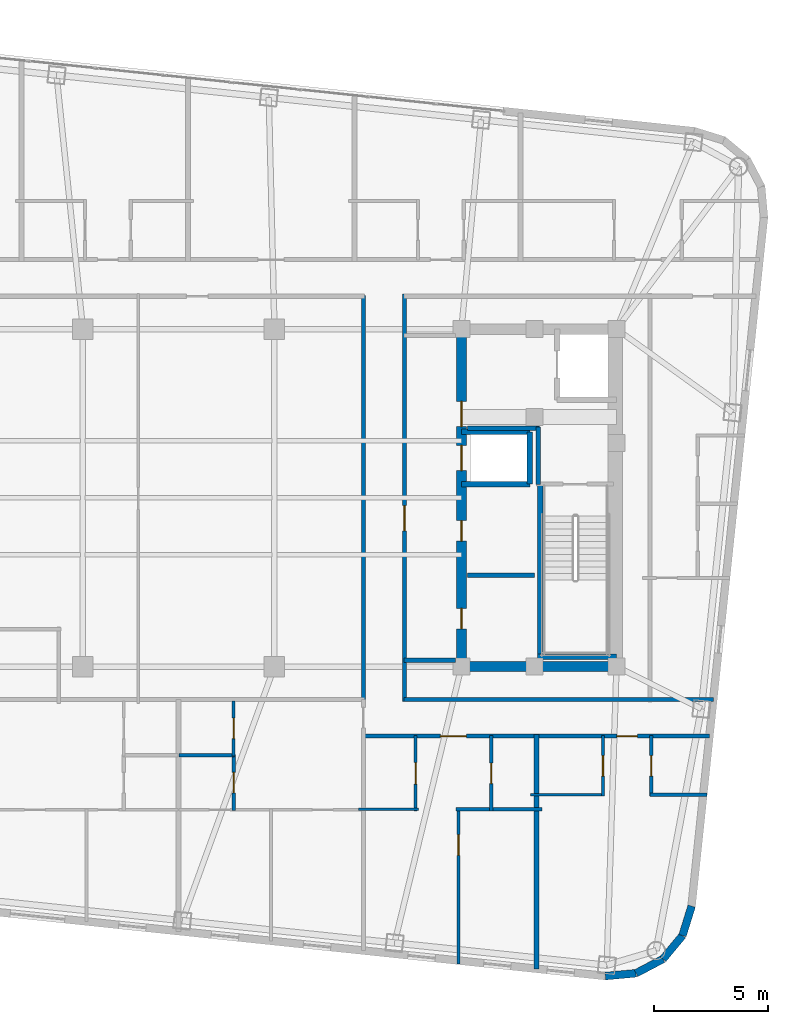
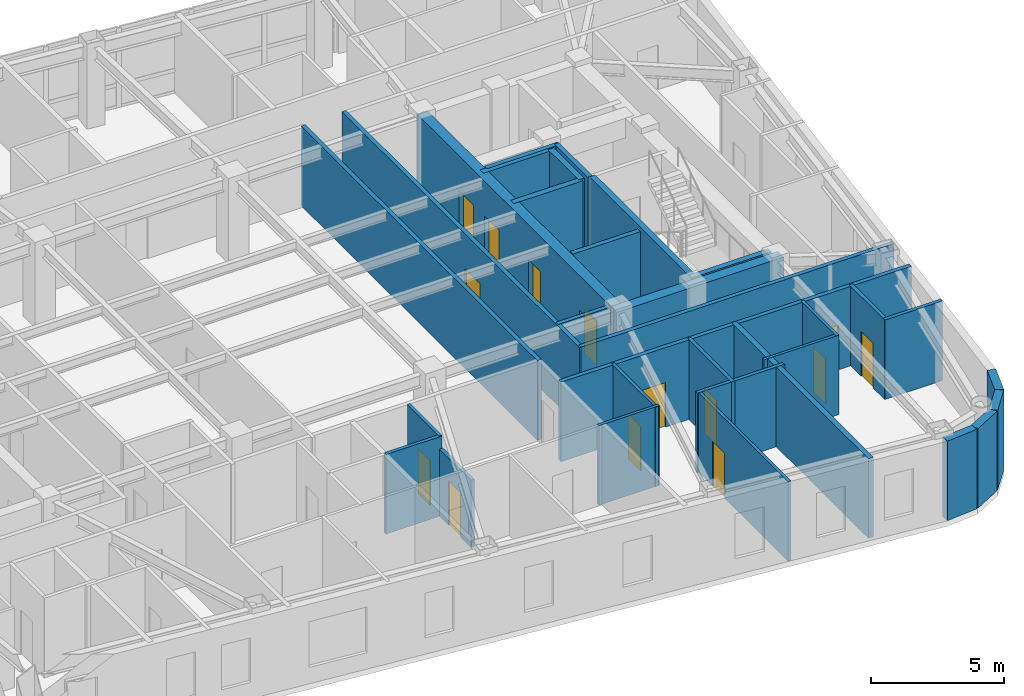
# One storey, part 11 of 15: 32 walls, 14 doors, 14 openings.
"""IFC4 building model written with IfcOpenShell, lengths in metres."""

from ifc_helpers import new_model, si_unit, direction, frame, frame_2d, origin, place, context, subcontext, project, spatial, rectangle, extrude, material, layer, layer_set, type_object, element, fill, save


model = new_model("IFC4")

# Units and contexts
model_context = context("Model", 3, precision=1e-05, world=origin(), true_north=direction((0.0, 1.0)))
body_context = subcontext(model_context, "Body", "Model", "MODEL_VIEW")
ifc_project = project(units=[si_unit("LENGTHUNIT", "METRE"), si_unit("AREAUNIT", "SQUARE_METRE"), si_unit("VOLUMEUNIT", "CUBIC_METRE"), si_unit("PLANEANGLEUNIT", "RADIAN"), si_unit("MASSUNIT", "GRAM", prefix="KILO")], contexts=[model_context])

# Site, building, storey
site_placement = place(None, origin())
site = spatial("IfcSite", under=ifc_project, at=site_placement, CompositionType="ELEMENT")
building_placement = place(site_placement, origin())
building = spatial("IfcBuilding", under=site, at=building_placement, Name="Voryun Gate Residences", CompositionType="ELEMENT")
storey_placement = place(building_placement, frame((0.0, 0.0, 263.89990234375)))
storey = spatial("IfcBuildingStorey", under=building, at=storey_placement, Name="L65", CompositionType="ELEMENT", Elevation=263.89990234375)

# Wall
ifc_material_1 = material(Name="Concrete C50/60", Category="concrete")
ifc_layer_1 = layer(ifc_material_1, 0.449951171875, Name="CW_CORE_450")
ifc_layer_set_1 = layer_set([ifc_layer_1], Name="Concrete C50/60")
wall_type_1 = type_object("IfcWallType", Name="CW_CORE_450", PredefinedType="SHEAR", material=ifc_layer_set_1)
wall_1_placement = place(storey_placement, frame((12.175048828125, -7.39990234375, 0.0), z_axis=(0.0, 0.0, 1.0), x_axis=(1.0, 0.0, 0.0)))
element("IfcWall", 1, at=wall_1_placement, inside=storey, type_object=wall_type_1, Name="L65 Core shear wall CW-L65-ES", PredefinedType="SHEAR", context=body_context, shape_type="SweptSolid", body=[
    extrude(rectangle(XDim=7.25, YDim=0.449951171875, at=frame_2d((3.625, 0.0))), origin(), (0.0, 0.0, 1.0), 3.650146484375),
])

# Wall, openings, doors
wall_2_placement = place(storey_placement, frame((12.39990234375, -7.39990234375, 0.0), z_axis=(0.0, 0.0, 1.0), x_axis=(0.0, 1.0, 0.0)))
wall_2 = element("IfcWall", 2, at=wall_2_placement, inside=storey, type_object=wall_type_1, Name="L65 Core shear wall CW-L65-EW", PredefinedType="SHEAR", context=body_context, shape_type="SweptSolid", body=[
    extrude(rectangle(XDim=14.7998046875, YDim=0.449951171875, at=frame_2d((7.39990234375, 0.0))), origin(), (0.0, 0.0, 1.0), 3.650146484375),
])
opening_1_placement = place(wall_2_placement, frame((8.60009765625, 0.0, 0.0)))
opening_1 = element("IfcOpeningElement", 3, at=opening_1_placement, cuts=wall_2, Name="Opening LD2", PredefinedType="OPENING", context=body_context, shape_type="SweptSolid", body=[
    extrude(rectangle(XDim=1.10009765625, YDim=2.050048828125, at=frame_2d((0.550048828125, 1.02490234375))), frame((0.0, 0.235107421875, 0.0), z_axis=(0.0, -1.0, 0.0), x_axis=(1.0, 0.0, 0.0)), (0.0, 0.0, 1.0), 0.469970703125),
])
opening_2_placement = place(wall_2_placement, frame((10.530029296875, 0.0, 0.0)))
opening_2 = element("IfcOpeningElement", 4, at=opening_2_placement, cuts=wall_2, Name="Opening D-FD60-2", PredefinedType="OPENING", context=body_context, shape_type="SweptSolid", body=[
    extrude(rectangle(XDim=1.10009765625, YDim=2.050048828125, at=frame_2d((0.550048828125, 1.02490234375))), frame((0.0, 0.235107421875, 0.0), z_axis=(0.0, -1.0, 0.0), x_axis=(1.0, 0.0, 0.0)), (0.0, 0.0, 1.0), 0.469970703125),
])
opening_3_placement = place(wall_2_placement, frame((1.64990234375, 0.0, 0.0)))
opening_3 = element("IfcOpeningElement", 5, at=opening_3_placement, cuts=wall_2, Name="Opening D-FD60-4", PredefinedType="OPENING", context=body_context, shape_type="SweptSolid", body=[
    extrude(rectangle(XDim=0.89990234375, YDim=2.050048828125, at=frame_2d((0.449951171875, 1.02490234375))), frame((0.0, 0.235107421875, 0.0), z_axis=(0.0, -1.0, 0.0), x_axis=(1.0, 0.0, 0.0)), (0.0, 0.0, 1.0), 0.469970703125),
])
opening_4_placement = place(wall_2_placement, frame((5.5, 0.0, 0.0)))
opening_4 = element("IfcOpeningElement", 6, at=opening_4_placement, cuts=wall_2, Name="Opening D-FD60-4", PredefinedType="OPENING", context=body_context, shape_type="SweptSolid", body=[
    extrude(rectangle(XDim=0.89990234375, YDim=2.050048828125, at=frame_2d((0.449951171875, 1.02490234375))), frame((0.0, 0.235107421875, 0.0), z_axis=(0.0, -1.0, 0.0), x_axis=(1.0, 0.0, 0.0)), (0.0, 0.0, 1.0), 0.469970703125),
])
ifc_material_2 = material(Name="Painted steel fire door", Category="steel")
door_type_1 = type_object("IfcDoorType", Name="DR_FD60_FFLOB_1100", OperationType="NOTDEFINED", PredefinedType="DOOR", material=ifc_material_2)
door_1_placement = place(opening_2_placement, origin())
door_1 = element("IfcDoor", 7, at=door_1_placement, inside=storey, type_object=door_type_1, Name="Door DR-L65-CLOB-E", OperationType="SINGLE_SWING_RIGHT", OverallHeight=2.050048828125, OverallWidth=1.10009765625, PredefinedType="DOOR", context=body_context, shape_type="SweptSolid", body=[
    extrude(rectangle(XDim=1.10009765625, YDim=2.050048828125, at=frame_2d((0.550048828125, 1.02490234375))), frame((0.0, 0.02490234375, 0.0), z_axis=(0.0, -1.0, 0.0), x_axis=(1.0, 0.0, 0.0)), (0.0, 0.0, 1.0), 0.050048828125),
])
fill(opening_2, door_1)
ifc_material_3 = material(Name="Painted steel fire door", Category="steel")
door_type_2 = type_object("IfcDoorType", Name="DR_FD60_RISER_900", OperationType="NOTDEFINED", PredefinedType="DOOR", material=ifc_material_3)
door_2_placement = place(opening_3_placement, origin())
door_2 = element("IfcDoor", 8, at=door_2_placement, inside=storey, type_object=door_type_2, Name="Door DR-L65-RECE-HIS", OperationType="SINGLE_SWING_RIGHT", OverallHeight=2.050048828125, OverallWidth=0.89990234375, PredefinedType="DOOR", context=body_context, shape_type="SweptSolid", body=[
    extrude(rectangle(XDim=0.89990234375, YDim=2.050048828125, at=frame_2d((0.449951171875, 1.02490234375))), frame((0.0, 0.02490234375, 0.0), z_axis=(0.0, -1.0, 0.0), x_axis=(1.0, 0.0, 0.0)), (0.0, 0.0, 1.0), 0.050048828125),
])
fill(opening_3, door_2)
door_3_placement = place(opening_4_placement, origin())
door_3 = element("IfcDoor", 9, at=door_3_placement, inside=storey, type_object=door_type_2, Name="Door DR-L65-RECE-HIN", OperationType="SINGLE_SWING_LEFT", OverallHeight=2.050048828125, OverallWidth=0.89990234375, PredefinedType="DOOR", context=body_context, shape_type="SweptSolid", body=[
    extrude(rectangle(XDim=0.89990234375, YDim=2.050048828125, at=frame_2d((0.449951171875, 1.02490234375))), frame((0.0, 0.02490234375, 0.0), z_axis=(0.0, -1.0, 0.0), x_axis=(1.0, 0.0, 0.0)), (0.0, 0.0, 1.0), 0.050048828125),
])
fill(opening_4, door_3)
ifc_material_4 = material(Name="Anodised aluminium", Category="aluminium")
door_type_3 = type_object("IfcDoorType", Name="DR_LD_PASS_1100", OperationType="NOTDEFINED", PredefinedType="DOOR", material=ifc_material_4)
door_4_placement = place(opening_1_placement, origin())
door_4 = element("IfcDoor", 10, at=door_4_placement, inside=storey, type_object=door_type_3, Name="Lift EL-P8 sliding landing door L65", OperationType="SLIDING_TO_LEFT", OverallHeight=2.050048828125, OverallWidth=1.10009765625, PredefinedType="DOOR", context=body_context, shape_type="SweptSolid", body=[
    extrude(rectangle(XDim=1.10009765625, YDim=2.050048828125, at=frame_2d((0.550048828125, 1.02490234375))), frame((0.0, 0.02490234375, 0.0), z_axis=(0.0, -1.0, 0.0), x_axis=(1.0, 0.0, 0.0)), (0.0, 0.0, 1.0), 0.050048828125),
])
fill(opening_1, door_4)

# Wall
ifc_material_5 = material(Name="Gypsum acoustic fireboard")
ifc_layer_2 = layer(ifc_material_5, 0.179931640625, Name="W_CORR_RATED_180")
ifc_layer_set_2 = layer_set([ifc_layer_2], Name="Gypsum acoustic fireboard")
wall_type_2 = type_object("IfcWallType", Name="W_CORR_RATED_180", PredefinedType="PARTITIONING", material=ifc_layer_set_2)
wall_3_placement = place(storey_placement, frame((9.8798828125, -7.1201171875, 0.0), z_axis=(0.0, 0.0, 1.0), x_axis=(1.0, 0.0, 0.0)))
element("IfcWall", 11, at=wall_3_placement, inside=storey, type_object=wall_type_2, Name="Partition wall WP-L65-PLBS-E", PredefinedType="PARTITIONING", context=body_context, shape_type="SweptSolid", body=[
    extrude(rectangle(XDim=2.27001953125, YDim=0.179931640625, at=frame_2d((1.135009765625, 0.0))), origin(), (0.0, 0.0, 1.0), 3.650146484375),
])

# Wall, opening, door
wall_4_placement = place(storey_placement, frame((9.89990234375, -8.929931640625, 0.0), z_axis=(0.0, 0.0, 1.0), x_axis=(0.0, 1.0, 0.0)))
wall_4 = element("IfcWall", 12, at=wall_4_placement, inside=storey, type_object=wall_type_2, Name="Partition wall WP-L65-PLBE-FULL", PredefinedType="PARTITIONING", context=body_context, shape_type="SweptSolid", body=[
    extrude(rectangle(XDim=17.85986328125, YDim=0.179931640625, at=frame_2d((8.929931640625, 0.0))), origin(), (0.0, 0.0, 1.0), 3.650146484375),
])
opening_5_placement = place(wall_4_placement, frame((7.487060546875, 0.0, 0.0)))
opening_5 = element("IfcOpeningElement", 13, at=opening_5_placement, cuts=wall_4, Name="Opening D-FD60-2", PredefinedType="OPENING", context=body_context, shape_type="SweptSolid", body=[
    extrude(rectangle(XDim=1.10009765625, YDim=2.050048828125, at=frame_2d((0.550048828125, 1.02490234375))), frame((0.0, 0.099853515625, 0.0), z_axis=(0.0, -1.0, 0.0), x_axis=(1.0, 0.0, 0.0)), (0.0, 0.0, 1.0), 0.199951171875),
])
door_5_placement = place(opening_5_placement, origin())
door_5 = element("IfcDoor", 14, at=door_5_placement, inside=storey, type_object=door_type_1, Name="Door DR-L65-PLBE-COR", OperationType="SINGLE_SWING_RIGHT", OverallHeight=2.050048828125, OverallWidth=1.10009765625, PredefinedType="DOOR", context=body_context, shape_type="SweptSolid", body=[
    extrude(rectangle(XDim=1.10009765625, YDim=2.050048828125, at=frame_2d((0.550048828125, 1.02490234375))), frame((0.0, 0.02490234375, 0.0), z_axis=(0.0, -1.0, 0.0), x_axis=(1.0, 0.0, 0.0)), (0.0, 0.0, 1.0), 0.050048828125),
])
fill(opening_5, door_5)

# Walls
wall_5_placement = place(storey_placement, frame((9.8798828125, -8.840087890625, 0.0), z_axis=(0.0, 0.0, 1.0), x_axis=(1.0, 0.0, 0.0)))
element("IfcWall", 15, at=wall_5_placement, inside=storey, type_object=wall_type_2, Name="Partition wall WP-L65-CWING-ES", PredefinedType="PARTITIONING", context=body_context, shape_type="SweptSolid", body=[
    extrude(rectangle(XDim=13.56884765625, YDim=0.179931640625, at=frame_2d((6.784423828125, 0.0))), origin(), (0.0, 0.0, 1.0), 3.650146484375),
])
wall_6_placement = place(storey_placement, frame((8.10009765625, -8.8798828125, 0.0), z_axis=(0.0, 0.0, 1.0), x_axis=(0.0, 1.0, 0.0)))
element("IfcWall", 16, at=wall_6_placement, inside=storey, type_object=wall_type_2, Name="Partition wall WP-L65-Z3E", PredefinedType="PARTITIONING", context=body_context, shape_type="SweptSolid", body=[
    extrude(rectangle(XDim=17.759765625, YDim=0.179931640625, at=frame_2d((8.8798828125, 0.0))), origin(), (0.0, 0.0, 1.0), 3.650146484375),
])

# Wall, openings, doors
wall_7_placement = place(storey_placement, frame((8.080078125, -10.449951171875, 0.0), z_axis=(0.0, 0.0, 1.0), x_axis=(1.0, 0.0, 0.0)))
wall_7 = element("IfcWall", 17, at=wall_7_placement, inside=storey, type_object=wall_type_2, Name="Partition wall WP-L65-SCORR-E", PredefinedType="PARTITIONING", context=body_context, shape_type="SweptSolid", body=[
    extrude(rectangle(XDim=15.19921875, YDim=0.179931640625, at=frame_2d((7.599609375, 0.0))), origin(), (0.0, 0.0, 1.0), 3.650146484375),
])
opening_6_placement = place(wall_7_placement, frame((3.390380859375, 0.0, 0.0)))
opening_6 = element("IfcOpeningElement", 18, at=opening_6_placement, cuts=wall_7, Name="Opening D-UNIT-1", PredefinedType="OPENING", context=body_context, shape_type="SweptSolid", body=[
    extrude(rectangle(XDim=1.14990234375, YDim=2.050048828125, at=frame_2d((0.574951171875, 1.02490234375))), frame((0.0, 0.099853515625, 0.0), z_axis=(0.0, -1.0, 0.0), x_axis=(1.0, 0.0, 0.0)), (0.0, 0.0, 1.0), 0.199951171875),
])
opening_7_placement = place(wall_7_placement, frame((11.133544921875, 0.0, 0.0)))
opening_7 = element("IfcOpeningElement", 19, at=opening_7_placement, cuts=wall_7, Name="Opening D-INT-2", PredefinedType="OPENING", context=body_context, shape_type="SweptSolid", body=[
    extrude(rectangle(XDim=0.89990234375, YDim=2.050048828125, at=frame_2d((0.449951171875, 1.02490234375))), frame((0.0, 0.099853515625, 0.0), z_axis=(0.0, -1.0, 0.0), x_axis=(1.0, 0.0, 0.0)), (0.0, 0.0, 1.0), 0.199951171875),
])
ifc_material_6 = material(Name="Architectural oak veneer")
door_type_4 = type_object("IfcDoorType", Name="DR_INT_BATH_900", OperationType="NOTDEFINED", PredefinedType="DOOR", material=ifc_material_6)
door_6_placement = place(opening_7_placement, origin())
door_6 = element("IfcDoor", 20, at=door_6_placement, inside=storey, type_object=door_type_4, Name="Door DR-L65-SENT-7", OperationType="SINGLE_SWING_RIGHT", OverallHeight=2.050048828125, OverallWidth=0.89990234375, PredefinedType="DOOR", context=body_context, shape_type="SweptSolid", body=[
    extrude(rectangle(XDim=0.89990234375, YDim=2.050048828125, at=frame_2d((0.449951171875, 1.02490234375))), frame((0.0, 0.02490234375, 0.0), z_axis=(0.0, -1.0, 0.0), x_axis=(1.0, 0.0, 0.0)), (0.0, 0.0, 1.0), 0.050048828125),
])
fill(opening_7, door_6)
ifc_material_7 = material(Name="Armoured timber-clad fire door", Category="wood")
door_type_5 = type_object("IfcDoorType", Name="DR_UNIT_ENTRY_1150", OperationType="NOTDEFINED", PredefinedType="DOOR", material=ifc_material_7)
door_7_placement = place(opening_6_placement, origin())
door_7 = element("IfcDoor", 21, at=door_7_placement, inside=storey, type_object=door_type_5, Name="Door DR-L65-SENT-6", OperationType="SINGLE_SWING_LEFT", OverallHeight=2.050048828125, OverallWidth=1.14990234375, PredefinedType="DOOR", context=body_context, shape_type="SweptSolid", body=[
    extrude(rectangle(XDim=1.14990234375, YDim=2.050048828125, at=frame_2d((0.574951171875, 1.02490234375))), frame((0.0, 0.02490234375, 0.0), z_axis=(0.0, -1.0, 0.0), x_axis=(1.0, 0.0, 0.0)), (0.0, 0.0, 1.0), 0.050048828125),
])
fill(opening_6, door_7)

# Walls
ifc_material_8 = material(Name="Charcoal terracotta masonry", Category="masonry")
ifc_layer_3 = layer(ifc_material_8, 0.340087890625, Name="W_EXT_TERRACOTTA_340")
ifc_layer_set_3 = layer_set([ifc_layer_3], Name="Charcoal terracotta masonry")
wall_type_3 = type_object("IfcWallType", Name="W_EXT_TERRACOTTA_340", PredefinedType="ELEMENTEDWALL", material=ifc_layer_set_3)
wall_8_placement = place(storey_placement, frame((22.495849609375, -17.904541015625, 0.0), z_axis=(0.0, 0.0, 1.0), x_axis=(-0.296416228123, -0.955058856671, 0.0)))
element("IfcWall", 22, at=wall_8_placement, inside=storey, type_object=wall_type_3, Name="Exterior wall WEXT-L65-17", PredefinedType="ELEMENTEDWALL", context=body_context, shape_type="SweptSolid", body=[
    extrude(rectangle(XDim=1.35400390625, YDim=0.340087890625, at=frame_2d((0.677001953125, 0.0))), origin(), (0.0, 0.0, 1.0), 3.650146484375),
])
wall_9_placement = place(storey_placement, frame((22.094482421875, -19.19775390625, 0.0), z_axis=(0.0, 0.0, 1.0), x_axis=(-0.639501603217, -0.768789762863, 0.0)))
element("IfcWall", 23, at=wall_9_placement, inside=storey, type_object=wall_type_3, Name="Exterior wall WEXT-L65-18", PredefinedType="ELEMENTEDWALL", context=body_context, shape_type="SweptSolid", body=[
    extrude(rectangle(XDim=1.3369140625, YDim=0.340087890625, at=frame_2d((0.66845703125, 0.0))), origin(), (0.0, 0.0, 1.0), 3.650146484375),
])
wall_10_placement = place(storey_placement, frame((21.239501953125, -20.2255859375, 0.0), z_axis=(0.0, 0.0, 1.0), x_axis=(-0.884922182678, -0.465738908193, 0.0)))
element("IfcWall", 24, at=wall_10_placement, inside=storey, type_object=wall_type_3, Name="Exterior wall WEXT-L65-19", PredefinedType="ELEMENTEDWALL", context=body_context, shape_type="SweptSolid", body=[
    extrude(rectangle(XDim=1.337158203125, YDim=0.340087890625, at=frame_2d((0.66845703125, 0.0))), origin(), (0.0, 0.0, 1.0), 3.650146484375),
])
wall_11_placement = place(storey_placement, frame((20.05615234375, -20.848388671875, 0.0), z_axis=(0.0, 0.0, 1.0), x_axis=(-0.995813013343, -0.091413579172, 0.0)))
element("IfcWall", 25, at=wall_11_placement, inside=storey, type_object=wall_type_3, Name="Exterior wall WEXT-L65-20", PredefinedType="ELEMENTEDWALL", context=body_context, shape_type="SweptSolid", body=[
    extrude(rectangle(XDim=1.35400390625, YDim=0.340087890625, at=frame_2d((0.677001953125, 0.0))), origin(), (0.0, 0.0, 1.0), 3.650146484375),
])
ifc_material_9 = material(Name="Concrete C40/50", Category="concrete")
ifc_layer_4 = layer(ifc_material_9, 0.199951171875, Name="W_FF_LOBBY_200")
ifc_layer_set_4 = layer_set([ifc_layer_4], Name="Concrete C40/50")
wall_type_4 = type_object("IfcWallType", Name="W_FF_LOBBY_200", PredefinedType="PARTITIONING", material=ifc_layer_set_4)
wall_12_placement = place(storey_placement, frame((15.760009765625, 0.580078125, 0.0), z_axis=(0.0, 0.0, 1.0), x_axis=(0.0, 1.0, 0.0)))
element("IfcWall", 26, at=wall_12_placement, inside=storey, type_object=wall_type_4, Name="Partition wall WP-L65-FFP0-E", PredefinedType="PARTITIONING", context=body_context, shape_type="SweptSolid", body=[
    extrude(rectangle(XDim=2.52001953125, YDim=0.199951171875, at=frame_2d((1.260009765625, 0.0))), origin(), (0.0, 0.0, 1.0), 3.650146484375),
])
wall_13_placement = place(storey_placement, frame((12.659912109375, 3.06005859375, 0.0), z_axis=(0.0, 0.0, 1.0), x_axis=(1.0, 0.0, 0.0)))
element("IfcWall", 27, at=wall_13_placement, inside=storey, type_object=wall_type_4, Name="Partition wall WP-L65-FFPS-E", PredefinedType="PARTITIONING", context=body_context, shape_type="SweptSolid", body=[
    extrude(rectangle(XDim=3.16015625, YDim=0.199951171875, at=frame_2d((1.580078125, 0.0))), origin(), (0.0, 0.0, 1.0), 3.650146484375),
])
wall_14_placement = place(storey_placement, frame((12.659912109375, -3.389892578125, 0.0), z_axis=(0.0, 0.0, 1.0), x_axis=(1.0, 0.0, 0.0)))
element("IfcWall", 28, at=wall_14_placement, inside=storey, type_object=wall_type_4, Name="Partition wall WP-L65-RECEY-HI", PredefinedType="PARTITIONING", context=body_context, shape_type="SweptSolid", body=[
    extrude(rectangle(XDim=2.940185546875, YDim=0.199951171875, at=frame_2d((1.47021484375, 0.0))), origin(), (0.0, 0.0, 1.0), 3.650146484375),
])
ifc_material_10 = material(Name="Concrete C40/50", Category="concrete")
ifc_layer_5 = layer(ifc_material_10, 0.219970703125, Name="W_PARTY_ACOUSTIC_220")
ifc_layer_set_5 = layer_set([ifc_layer_5], Name="Concrete C40/50")
wall_type_5 = type_object("IfcWallType", Name="W_PARTY_ACOUSTIC_220", PredefinedType="PARTITIONING", material=ifc_layer_set_5)
wall_15_placement = place(storey_placement, frame((15.681884765625, -20.654052734375, 0.0), z_axis=(0.0, 0.0, 1.0), x_axis=(0.0, 1.0, 0.0)))
element("IfcWall", 29, at=wall_15_placement, inside=storey, type_object=wall_type_5, Name="Partition wall WP-L65-SPTY-6", PredefinedType="PARTITIONING", context=body_context, shape_type="SweptSolid", body=[
    extrude(rectangle(XDim=10.283935546875, YDim=0.219970703125, at=frame_2d((5.14208984375, 0.0))), origin(), (0.0, 0.0, 1.0), 3.650146484375),
])
ifc_material_11 = material(Name="Concrete C50/60", Category="concrete")
ifc_layer_6 = layer(ifc_material_11, 0.25, Name="W_SHAFT_RC250")
ifc_layer_set_6 = layer_set([ifc_layer_6], Name="Concrete C50/60")
wall_type_6 = type_object("IfcWallType", Name="W_SHAFT_RC250", PredefinedType="SOLIDWALL", material=ifc_layer_set_6)
wall_16_placement = place(storey_placement, frame((15.860107421875, -7.0849609375, 0.0), z_axis=(0.0, 0.0, 1.0), x_axis=(0.0, 1.0, 0.0)))
element("IfcWall", 30, at=wall_16_placement, inside=storey, type_object=wall_type_6, Name="L65 Stair shaft structural wall E-STL", PredefinedType="SOLIDWALL", context=body_context, shape_type="SweptSolid", body=[
    extrude(rectangle(XDim=7.68505859375, YDim=0.25, at=frame_2d((3.842529296875, 0.0))), origin(), (0.0, 0.0, 1.0), 3.650146484375),
])
wall_17_placement = place(storey_placement, frame((15.739990234375, -6.965087890625, 0.0), z_axis=(0.0, 0.0, 1.0), x_axis=(1.0, 0.0, 0.0)))
element("IfcWall", 31, at=wall_17_placement, inside=storey, type_object=wall_type_6, Name="L65 Stair shaft structural wall E-STS", PredefinedType="SOLIDWALL", context=body_context, shape_type="SweptSolid", body=[
    extrude(rectangle(XDim=3.4599609375, YDim=0.25, at=frame_2d((1.72998046875, 0.0))), origin(), (0.0, 0.0, 1.0), 3.650146484375),
])
wall_18_placement = place(storey_placement, frame((12.39990234375, 0.60009765625, 0.0), z_axis=(0.0, 0.0, 1.0), x_axis=(1.0, 0.0, 0.0)))
element("IfcWall", 32, at=wall_18_placement, inside=storey, type_object=wall_type_6, Name="Lift shaft wall WSH-L65-EL-P8-S", PredefinedType="SOLIDWALL", context=body_context, shape_type="SweptSolid", body=[
    extrude(rectangle(XDim=3.0, YDim=0.25, at=frame_2d((1.5, 0.0))), origin(), (0.0, 0.0, 1.0), 3.650146484375),
])
wall_19_placement = place(storey_placement, frame((15.39990234375, 0.60009765625, 0.0), z_axis=(0.0, 0.0, 1.0), x_axis=(0.0, 1.0, 0.0)))
element("IfcWall", 33, at=wall_19_placement, inside=storey, type_object=wall_type_6, Name="Lift shaft wall WSH-L65-EL-P8-E", PredefinedType="SOLIDWALL", context=body_context, shape_type="SweptSolid", body=[
    extrude(rectangle(XDim=2.2998046875, YDim=0.25, at=frame_2d((1.14990234375, 0.0))), origin(), (0.0, 0.0, 1.0), 3.650146484375),
])
wall_20_placement = place(storey_placement, frame((15.39990234375, 2.89990234375, 0.0), z_axis=(0.0, 0.0, 1.0), x_axis=(-1.0, 0.0, 0.0)))
element("IfcWall", 34, at=wall_20_placement, inside=storey, type_object=wall_type_6, Name="Lift shaft wall WSH-L65-EL-P8-N", PredefinedType="SOLIDWALL", context=body_context, shape_type="SweptSolid", body=[
    extrude(rectangle(XDim=3.0, YDim=0.25, at=frame_2d((1.5, 0.0))), origin(), (0.0, 0.0, 1.0), 3.650146484375),
])

# Wall, opening, door
ifc_material_12 = material(Name="Gypsum acoustic partition")
ifc_layer_7 = layer(ifc_material_12, 0.125, Name="W_UNIT_PART_125")
ifc_layer_set_7 = layer_set([ifc_layer_7], Name="Gypsum acoustic partition")
wall_type_7 = type_object("IfcWallType", Name="W_UNIT_PART_125", PredefinedType="PARTITIONING", material=ifc_layer_set_7)
wall_21_placement = place(storey_placement, frame((12.27197265625, -20.446533203125, 0.0), z_axis=(0.0, 0.0, 1.0), x_axis=(0.0, 1.0, 0.0)))
wall_21 = element("IfcWall", 35, at=wall_21_placement, inside=storey, type_object=wall_type_7, Name="Partition wall WP-L65-S6-OVR", PredefinedType="PARTITIONING", context=body_context, shape_type="SweptSolid", body=[
    extrude(rectangle(XDim=6.87353515625, YDim=0.125, at=frame_2d((3.436767578125, 0.0))), origin(), (0.0, 0.0, 1.0), 3.650146484375),
])
opening_8_placement = place(wall_21_placement, frame((4.77392578125, 0.0, 0.0)))
opening_8 = element("IfcOpeningElement", 36, at=opening_8_placement, cuts=wall_21, Name="Opening D-INT-2", PredefinedType="OPENING", context=body_context, shape_type="SweptSolid", body=[
    extrude(rectangle(XDim=0.89990234375, YDim=2.050048828125, at=frame_2d((0.449951171875, 1.02490234375))), frame((0.0, 0.072509765625, 0.0), z_axis=(0.0, -1.0, 0.0), x_axis=(1.0, 0.0, 0.0)), (0.0, 0.0, 1.0), 0.14501953125),
])
door_8_placement = place(opening_8_placement, origin())
door_8 = element("IfcDoor", 37, at=door_8_placement, inside=storey, type_object=door_type_4, Name="Door DR-L65-S6-DMB", OperationType="SINGLE_SWING_RIGHT", OverallHeight=2.050048828125, OverallWidth=0.89990234375, PredefinedType="DOOR", context=body_context, shape_type="SweptSolid", body=[
    extrude(rectangle(XDim=0.89990234375, YDim=2.050048828125, at=frame_2d((0.449951171875, 1.02490234375))), frame((0.0, 0.02490234375, 0.0), z_axis=(0.0, -1.0, 0.0), x_axis=(1.0, 0.0, 0.0)), (0.0, 0.0, 1.0), 0.050048828125),
])
fill(opening_8, door_8)

wall_22_placement = place(storey_placement, frame((10.389892578125, -13.73291015625, 0.0), z_axis=(0.0, 0.0, 1.0), x_axis=(0.0, 1.0, 0.0)))
wall_22 = element("IfcWall", 38, at=wall_22_placement, inside=storey, type_object=wall_type_7, Name="Partition wall WP-L65-S6-IVK", PredefinedType="PARTITIONING", context=body_context, shape_type="SweptSolid", body=[
    extrude(rectangle(XDim=3.302978515625, YDim=0.125, at=frame_2d((1.6513671875, 0.0))), origin(), (0.0, 0.0, 1.0), 3.650146484375),
])
opening_9_placement = place(wall_22_placement, frame((1.176513671875, 0.0, 0.0)))
opening_9 = element("IfcOpeningElement", 39, at=opening_9_placement, cuts=wall_22, Name="Opening D-INT-1", PredefinedType="OPENING", context=body_context, shape_type="SweptSolid", body=[
    extrude(rectangle(XDim=0.949951171875, YDim=2.050048828125, at=frame_2d((0.47509765625, 1.02490234375))), frame((0.0, 0.072509765625, 0.0), z_axis=(0.0, -1.0, 0.0), x_axis=(1.0, 0.0, 0.0)), (0.0, 0.0, 1.0), 0.14501953125),
])
ifc_material_13 = material(Name="Architectural oak veneer")
door_type_6 = type_object("IfcDoorType", Name="DR_INT_ROOM_950", OperationType="NOTDEFINED", PredefinedType="DOOR", material=ifc_material_13)
door_9_placement = place(opening_9_placement, origin())
door_9 = element("IfcDoor", 40, at=door_9_placement, inside=storey, type_object=door_type_6, Name="Door DR-L65-S6-DK", OperationType="SINGLE_SWING_LEFT", OverallHeight=2.050048828125, OverallWidth=0.949951171875, PredefinedType="DOOR", context=body_context, shape_type="SweptSolid", body=[
    extrude(rectangle(XDim=0.949951171875, YDim=2.050048828125, at=frame_2d((0.47509765625, 1.02490234375))), frame((0.0, 0.02490234375, 0.0), z_axis=(0.0, -1.0, 0.0), x_axis=(1.0, 0.0, 0.0)), (0.0, 0.0, 1.0), 0.050048828125),
])
fill(opening_9, door_9)

# Wall
wall_23_placement = place(storey_placement, frame((7.887451171875, -13.653076171875, 0.0), z_axis=(0.0, 0.0, 1.0), x_axis=(1.0, 0.0, 0.0)))
element("IfcWall", 41, at=wall_23_placement, inside=storey, type_object=wall_type_7, Name="Partition wall WP-L65-S6-HZK", PredefinedType="PARTITIONING", context=body_context, shape_type="SweptSolid", body=[
    extrude(rectangle(XDim=2.62255859375, YDim=0.125, at=frame_2d((1.311279296875, 0.0))), origin(), (0.0, 0.0, 1.0), 3.650146484375),
])

# Wall, opening, door
wall_24_placement = place(storey_placement, frame((18.60791015625, -13.080078125, 0.0), z_axis=(0.0, 0.0, 1.0), x_axis=(0.0, 1.0, 0.0)))
wall_24 = element("IfcWall", 42, at=wall_24_placement, inside=storey, type_object=wall_type_7, Name="Partition wall WP-L65-S7-CVK", PredefinedType="PARTITIONING", context=body_context, shape_type="SweptSolid", body=[
    extrude(rectangle(XDim=2.650146484375, YDim=0.125, at=frame_2d((1.3251953125, 0.0))), origin(), (0.0, 0.0, 1.0), 3.650146484375),
])
opening_10_placement = place(wall_24_placement, frame((0.875, 0.0, 0.0)))
opening_10 = element("IfcOpeningElement", 43, at=opening_10_placement, cuts=wall_24, Name="Opening D-INT-2", PredefinedType="OPENING", context=body_context, shape_type="SweptSolid", body=[
    extrude(rectangle(XDim=0.89990234375, YDim=2.050048828125, at=frame_2d((0.449951171875, 1.02490234375))), frame((0.0, 0.072509765625, 0.0), z_axis=(0.0, -1.0, 0.0), x_axis=(1.0, 0.0, 0.0)), (0.0, 0.0, 1.0), 0.14501953125),
])
door_10_placement = place(opening_10_placement, origin())
door_10 = element("IfcDoor", 44, at=door_10_placement, inside=storey, type_object=door_type_4, Name="Door DR-L65-S7-DK", OperationType="SINGLE_SWING_LEFT", OverallHeight=2.050048828125, OverallWidth=0.89990234375, PredefinedType="DOOR", context=body_context, shape_type="SweptSolid", body=[
    extrude(rectangle(XDim=0.89990234375, YDim=2.050048828125, at=frame_2d((0.449951171875, 1.02490234375))), frame((0.0, 0.02490234375, 0.0), z_axis=(0.0, -1.0, 0.0), x_axis=(1.0, 0.0, 0.0)), (0.0, 0.0, 1.0), 0.050048828125),
])
fill(opening_10, door_10)

# Wall
wall_25_placement = place(storey_placement, frame((15.422119140625, -13.02001953125, 0.0), z_axis=(0.0, 0.0, 1.0), x_axis=(1.0, 0.0, 0.0)))
element("IfcWall", 45, at=wall_25_placement, inside=storey, type_object=wall_type_7, Name="Partition wall WP-L65-S7-CHK", PredefinedType="PARTITIONING", context=body_context, shape_type="SweptSolid", body=[
    extrude(rectangle(XDim=3.245849609375, YDim=0.125, at=frame_2d((1.623046875, 0.0))), origin(), (0.0, 0.0, 1.0), 3.650146484375),
])

# Wall, opening, door
wall_26_placement = place(storey_placement, frame((2.409912109375, -11.31005859375, 0.0), z_axis=(0.0, 0.0, 1.0), x_axis=(0.0, 1.0, 0.0)))
wall_26 = element("IfcWall", 46, at=wall_26_placement, inside=storey, type_object=wall_type_7, Name="Partition wall WP-L65-SC2-VK1", PredefinedType="PARTITIONING", context=body_context, shape_type="SweptSolid", body=[
    extrude(rectangle(XDim=2.41015625, YDim=0.125, at=frame_2d((1.205078125, 0.0))), origin(), (0.0, 0.0, 1.0), 3.650146484375),
])
opening_11_placement = place(wall_26_placement, frame((0.7548828125, 0.0, 0.0)))
opening_11 = element("IfcOpeningElement", 47, at=opening_11_placement, cuts=wall_26, Name="Opening D-INT-2", PredefinedType="OPENING", context=body_context, shape_type="SweptSolid", body=[
    extrude(rectangle(XDim=0.89990234375, YDim=2.050048828125, at=frame_2d((0.449951171875, 1.02490234375))), frame((0.0, 0.072509765625, 0.0), z_axis=(0.0, -1.0, 0.0), x_axis=(1.0, 0.0, 0.0)), (0.0, 0.0, 1.0), 0.14501953125),
])
door_11_placement = place(opening_11_placement, origin())
door_11 = element("IfcDoor", 48, at=door_11_placement, inside=storey, type_object=door_type_4, Name="Door DR-L65-SC2-DK", OperationType="SINGLE_SWING_LEFT", OverallHeight=2.050048828125, OverallWidth=0.89990234375, PredefinedType="DOOR", context=body_context, shape_type="SweptSolid", body=[
    extrude(rectangle(XDim=0.89990234375, YDim=2.050048828125, at=frame_2d((0.449951171875, 1.02490234375))), frame((0.0, 0.02490234375, 0.0), z_axis=(0.0, -1.0, 0.0), x_axis=(1.0, 0.0, 0.0)), (0.0, 0.0, 1.0), 0.050048828125),
])
fill(opening_11, door_11)

# Wall
ifc_material_14 = material(Name="Gypsum moisture-resistant partition")
ifc_layer_8 = layer(ifc_material_14, 0.14990234375, Name="W_WET_PLUMB_150")
ifc_layer_set_8 = layer_set([ifc_layer_8], Name="Gypsum moisture-resistant partition")
wall_type_8 = type_object("IfcWallType", Name="W_WET_PLUMB_150", PredefinedType="PLUMBINGWALL", material=ifc_layer_set_8)
wall_27_placement = place(storey_placement, frame((12.152099609375, -13.653076171875, 0.0), z_axis=(0.0, 0.0, 1.0), x_axis=(1.0, 0.0, 0.0)))
element("IfcWall", 49, at=wall_27_placement, inside=storey, type_object=wall_type_8, Name="Partition wall WP-L65-S6-HZB", PredefinedType="PLUMBINGWALL", context=body_context, shape_type="SweptSolid", body=[
    extrude(rectangle(XDim=3.789794921875, YDim=0.14990234375, at=frame_2d((1.89501953125, 0.0))), origin(), (0.0, 0.0, 1.0), 3.650146484375),
])

# Wall, opening, door
wall_28_placement = place(storey_placement, frame((13.701904296875, -13.73291015625, 0.0), z_axis=(0.0, 0.0, 1.0), x_axis=(0.0, 1.0, 0.0)))
wall_28 = element("IfcWall", 50, at=wall_28_placement, inside=storey, type_object=wall_type_8, Name="Partition wall WP-L65-S6-IVB", PredefinedType="PLUMBINGWALL", context=body_context, shape_type="SweptSolid", body=[
    extrude(rectangle(XDim=3.302978515625, YDim=0.14990234375, at=frame_2d((1.6513671875, 0.0))), origin(), (0.0, 0.0, 1.0), 3.650146484375),
])
opening_12_placement = place(wall_28_placement, frame((1.201416015625, 0.0, 0.0)))
opening_12 = element("IfcOpeningElement", 51, at=opening_12_placement, cuts=wall_28, Name="Opening D-INT-2", PredefinedType="OPENING", context=body_context, shape_type="SweptSolid", body=[
    extrude(rectangle(XDim=0.89990234375, YDim=2.050048828125, at=frame_2d((0.449951171875, 1.02490234375))), frame((0.0, 0.0849609375, 0.0), z_axis=(0.0, -1.0, 0.0), x_axis=(1.0, 0.0, 0.0)), (0.0, 0.0, 1.0), 0.169921875),
])
door_12_placement = place(opening_12_placement, origin())
door_12 = element("IfcDoor", 52, at=door_12_placement, inside=storey, type_object=door_type_4, Name="Door DR-L65-S6-DB", OperationType="SINGLE_SWING_RIGHT", OverallHeight=2.050048828125, OverallWidth=0.89990234375, PredefinedType="DOOR", context=body_context, shape_type="SweptSolid", body=[
    extrude(rectangle(XDim=0.89990234375, YDim=2.050048828125, at=frame_2d((0.449951171875, 1.02490234375))), frame((0.0, 0.02490234375, 0.0), z_axis=(0.0, -1.0, 0.0), x_axis=(1.0, 0.0, 0.0)), (0.0, 0.0, 1.0), 0.050048828125),
])
fill(opening_12, door_12)

wall_29_placement = place(storey_placement, frame((20.719970703125, -13.080078125, 0.0), z_axis=(0.0, 0.0, 1.0), x_axis=(0.0, 1.0, 0.0)))
wall_29 = element("IfcWall", 53, at=wall_29_placement, inside=storey, type_object=wall_type_8, Name="Partition wall WP-L65-S7-CVB", PredefinedType="PLUMBINGWALL", context=body_context, shape_type="SweptSolid", body=[
    extrude(rectangle(XDim=2.650146484375, YDim=0.14990234375, at=frame_2d((1.3251953125, 0.0))), origin(), (0.0, 0.0, 1.0), 3.650146484375),
])
opening_13_placement = place(wall_29_placement, frame((0.875, 0.0, 0.0)))
opening_13 = element("IfcOpeningElement", 54, at=opening_13_placement, cuts=wall_29, Name="Opening D-INT-2", PredefinedType="OPENING", context=body_context, shape_type="SweptSolid", body=[
    extrude(rectangle(XDim=0.89990234375, YDim=2.050048828125, at=frame_2d((0.449951171875, 1.02490234375))), frame((0.0, 0.0849609375, 0.0), z_axis=(0.0, -1.0, 0.0), x_axis=(1.0, 0.0, 0.0)), (0.0, 0.0, 1.0), 0.169921875),
])
door_13_placement = place(opening_13_placement, origin())
door_13 = element("IfcDoor", 55, at=door_13_placement, inside=storey, type_object=door_type_4, Name="Door DR-L65-S7-DB", OperationType="SINGLE_SWING_RIGHT", OverallHeight=2.050048828125, OverallWidth=0.89990234375, PredefinedType="DOOR", context=body_context, shape_type="SweptSolid", body=[
    extrude(rectangle(XDim=0.89990234375, YDim=2.050048828125, at=frame_2d((0.449951171875, 1.02490234375))), frame((0.0, 0.02490234375, 0.0), z_axis=(0.0, -1.0, 0.0), x_axis=(1.0, 0.0, 0.0)), (0.0, 0.0, 1.0), 0.050048828125),
])
fill(opening_13, door_13)

# Wall
wall_30_placement = place(storey_placement, frame((20.659912109375, -13.02001953125, 0.0), z_axis=(0.0, 0.0, 1.0), x_axis=(1.0, 0.0, 0.0)))
element("IfcWall", 56, at=wall_30_placement, inside=storey, type_object=wall_type_8, Name="Partition wall WP-L65-S7-CHB", PredefinedType="PLUMBINGWALL", context=body_context, shape_type="SweptSolid", body=[
    extrude(rectangle(XDim=2.500244140625, YDim=0.14990234375, at=frame_2d((1.25, 0.0))), origin(), (0.0, 0.0, 1.0), 3.650146484375),
])

# Wall, opening, door
wall_31_placement = place(storey_placement, frame((2.409912109375, -13.719970703125, 0.0), z_axis=(0.0, 0.0, 1.0), x_axis=(0.0, 1.0, 0.0)))
wall_31 = element("IfcWall", 57, at=wall_31_placement, inside=storey, type_object=wall_type_8, Name="Partition wall WP-L65-SC2-VK2", PredefinedType="PLUMBINGWALL", context=body_context, shape_type="SweptSolid", body=[
    extrude(rectangle(XDim=2.469970703125, YDim=0.14990234375, at=frame_2d((1.23486328125, 0.0))), origin(), (0.0, 0.0, 1.0), 3.090087890625),
])
opening_14_placement = place(wall_31_placement, frame((0.784912109375, 0.0, 0.0)))
opening_14 = element("IfcOpeningElement", 58, at=opening_14_placement, cuts=wall_31, Name="Opening D-INT-2", PredefinedType="OPENING", context=body_context, shape_type="SweptSolid", body=[
    extrude(rectangle(XDim=0.89990234375, YDim=2.050048828125, at=frame_2d((0.449951171875, 1.02490234375))), frame((0.0, 0.0849609375, 0.0), z_axis=(0.0, -1.0, 0.0), x_axis=(1.0, 0.0, 0.0)), (0.0, 0.0, 1.0), 0.169921875),
])
door_14_placement = place(opening_14_placement, origin())
door_14 = element("IfcDoor", 59, at=door_14_placement, inside=storey, type_object=door_type_4, Name="Door DR-L65-SC2-DB", OperationType="SINGLE_SWING_RIGHT", OverallHeight=2.050048828125, OverallWidth=0.89990234375, PredefinedType="DOOR", context=body_context, shape_type="SweptSolid", body=[
    extrude(rectangle(XDim=0.89990234375, YDim=2.050048828125, at=frame_2d((0.449951171875, 1.02490234375))), frame((0.0, 0.02490234375, 0.0), z_axis=(0.0, -1.0, 0.0), x_axis=(1.0, 0.0, 0.0)), (0.0, 0.0, 1.0), 0.050048828125),
])
fill(opening_14, door_14)

# Wall
wall_32_placement = place(storey_placement, frame((0.02001953125, -11.280029296875, 0.0), z_axis=(0.0, 0.0, 1.0), x_axis=(1.0, 0.0, 0.0)))
element("IfcWall", 60, at=wall_32_placement, inside=storey, type_object=wall_type_8, Name="Partition wall WP-L65-SC2-HKB", PredefinedType="PLUMBINGWALL", context=body_context, shape_type="SweptSolid", body=[
    extrude(rectangle(XDim=2.429931640625, YDim=0.14990234375, at=frame_2d((1.21484375, 0.0))), origin(), (0.0, 0.0, 1.0), 3.650146484375),
])

save(model, "model.ifc")
